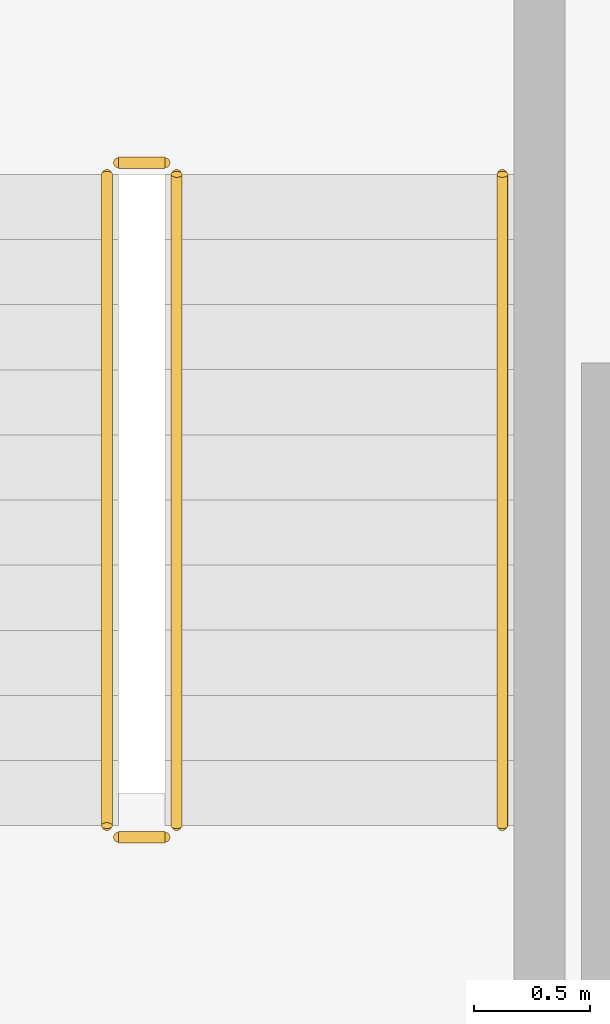
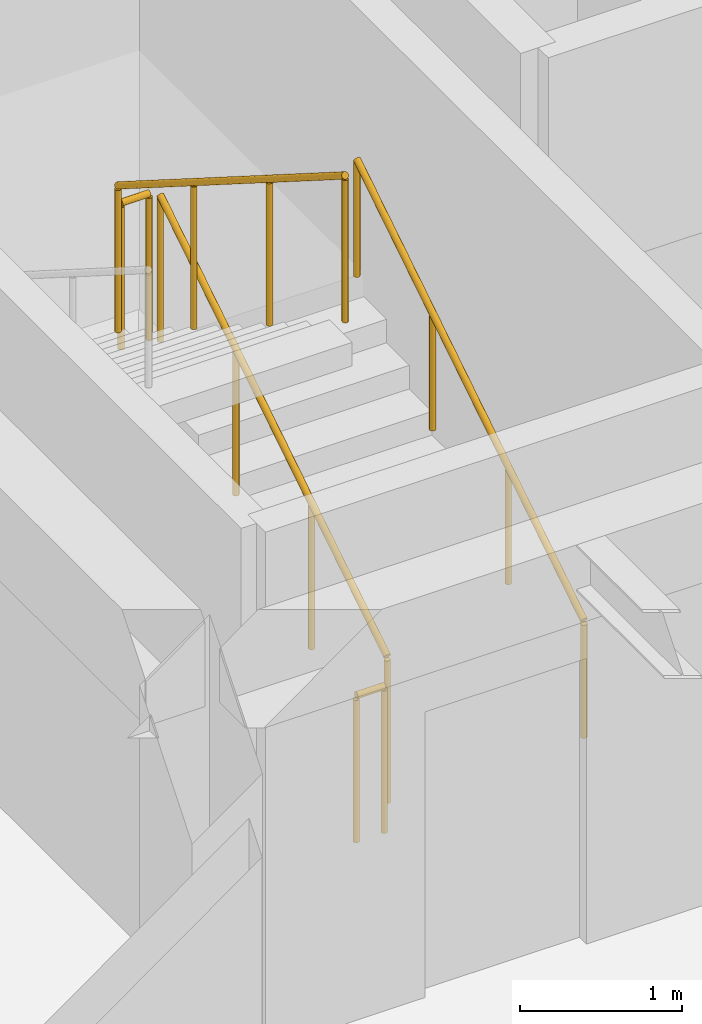
# One storey, part 15 of 15: 5 railings.
"""IFC4 building model written with IfcOpenShell, lengths in metres."""

from ifc_helpers import new_model, si_unit, direction, frame, origin, origin_2d, place, context, subcontext, project, spatial, circle, extrude, material, type_object, element, save


model = new_model("IFC4")

# Units and contexts
model_context = context("Model", 3, precision=1e-05, world=origin(), true_north=direction((0.0, 1.0)))
body_context = subcontext(model_context, "Body", "Model", "MODEL_VIEW")
ifc_project = project(units=[si_unit("LENGTHUNIT", "METRE"), si_unit("AREAUNIT", "SQUARE_METRE"), si_unit("VOLUMEUNIT", "CUBIC_METRE"), si_unit("PLANEANGLEUNIT", "RADIAN"), si_unit("MASSUNIT", "GRAM", prefix="KILO")], contexts=[model_context])

# Site, building, storey
site_placement = place(None, origin())
site = spatial("IfcSite", under=ifc_project, at=site_placement, CompositionType="ELEMENT")
building_placement = place(site_placement, origin())
building = spatial("IfcBuilding", under=site, at=building_placement, Name="Tlaxcora Railside Police Headquarters", CompositionType="ELEMENT")
storey_placement = place(building_placement, frame((0.0, 0.0, 25.800048828125)))
storey = spatial("IfcBuildingStorey", under=building, at=storey_placement, Name="L06", CompositionType="ELEMENT", Elevation=25.800048828125)

# Railings
ifc_material = material(Name="Steel ASTM A992 Grade 50", Category="steel")
railing_type_1 = type_object("IfcRailingType", Name="Stair Well Guard Balustrade GR-02", PredefinedType="BALUSTRADE", material=ifc_material)
railing_1_placement = place(storey_placement, frame((72.659912109375, 87.110107421875, 0.17724609375)))
element("IfcRailing", 1, at=railing_1_placement, inside=storey, type_object=railing_type_1, Name="L06 ST2 stair guard 1", PredefinedType="BALUSTRADE", context=body_context, shape_type="SweptSolid", body=[
    extrude(circle(Radius=0.02392578125, at=origin_2d()), frame((0.0, 0.0, 1.09619140625), z_axis=(0.0, 0.844887892834, 0.53494340686), x_axis=(-1.0, 0.0, 0.0)), (0.0, 0.0, 1.0), 3.313720703125),
    extrude(circle(Radius=0.02099609375, at=origin_2d()), origin(), (0.0, 0.0, 1.0), 1.072021484375),
    extrude(circle(Radius=0.02099609375, at=origin_2d()), frame((0.0, 0.933349609375, 0.5908203125)), (0.0, 0.0, 1.0), 1.072021484375),
    extrude(circle(Radius=0.02099609375, at=origin_2d()), frame((0.0, 1.866455078125, 1.181884765625)), (0.0, 0.0, 1.0), 1.072021484375),
    extrude(circle(Radius=0.02099609375, at=origin_2d()), frame((0.0, 2.7998046875, 1.772705078125)), (0.0, 0.0, 1.0), 1.072021484375),
])
railing_2_placement = place(storey_placement, frame((72.610107421875, 89.9599609375, 1.949951171875)))
element("IfcRailing", 2, at=railing_2_placement, inside=storey, type_object=railing_type_1, Name="L06 ST2 stair guard 2", PredefinedType="BALUSTRADE", context=body_context, shape_type="SweptSolid", body=[
    extrude(circle(Radius=0.02392578125, at=origin_2d()), frame((0.0, 0.0, 1.09619140625), z_axis=(-1.0, 0.0, 0.0), x_axis=(0.0, -1.0, 0.0)), (0.0, 0.0, 1.0), 0.2001953125),
    extrude(circle(Radius=0.02099609375, at=origin_2d()), origin(), (0.0, 0.0, 1.0), 1.072021484375),
    extrude(circle(Radius=0.02099609375, at=origin_2d()), frame((-0.2001953125, 0.0, 0.0)), (0.0, 0.0, 1.0), 1.072021484375),
])
railing_3_placement = place(storey_placement, frame((72.360107421875, 89.909912109375, 2.127197265625)))
element("IfcRailing", 3, at=railing_3_placement, inside=storey, type_object=railing_type_1, Name="L06 ST2 stair guard 3", PredefinedType="BALUSTRADE", context=body_context, shape_type="SweptSolid", body=[
    extrude(circle(Radius=0.02392578125, at=origin_2d()), frame((0.0, 0.0, 1.09619140625), z_axis=(0.0, -0.844887892834, 0.53494340686), x_axis=(1.0, 0.0, 0.0)), (0.0, 0.0, 1.0), 3.313720703125),
    extrude(circle(Radius=0.02099609375, at=origin_2d()), origin(), (0.0, 0.0, 1.0), 1.072021484375),
    extrude(circle(Radius=0.02099609375, at=origin_2d()), frame((0.0, -0.933349609375, 0.5908203125)), (0.0, 0.0, 1.0), 1.072021484375),
    extrude(circle(Radius=0.02099609375, at=origin_2d()), frame((0.0, -1.866455078125, 1.181884765625)), (0.0, 0.0, 1.0), 1.072021484375),
    extrude(circle(Radius=0.02099609375, at=origin_2d()), frame((0.0, -2.7998046875, 1.772705078125)), (0.0, 0.0, 1.0), 1.072021484375),
])
railing_4_placement = place(storey_placement, frame((72.610107421875, 87.06005859375, 0.0)))
element("IfcRailing", 4, at=railing_4_placement, inside=storey, type_object=railing_type_1, Name="L06 ST2 stair guard 4", PredefinedType="BALUSTRADE", context=body_context, shape_type="SweptSolid", body=[
    extrude(circle(Radius=0.02392578125, at=origin_2d()), frame((0.0, 0.0, 1.09619140625), z_axis=(-1.0, 0.0, 0.0), x_axis=(0.0, -1.0, 0.0)), (0.0, 0.0, 1.0), 0.2001953125),
    extrude(circle(Radius=0.02099609375, at=origin_2d()), origin(), (0.0, 0.0, 1.0), 1.072021484375),
    extrude(circle(Radius=0.02099609375, at=origin_2d()), frame((-0.2001953125, 0.0, 0.0)), (0.0, 0.0, 1.0), 1.072021484375),
])
railing_type_2 = type_object("IfcRailingType", Name="Stair and Ramp Handrail HR-01", PredefinedType="HANDRAIL", material=ifc_material)
railing_5_placement = place(storey_placement, frame((74.06005859375, 87.110107421875, 0.17724609375)))
element("IfcRailing", 5, at=railing_5_placement, inside=storey, type_object=railing_type_2, Name="L06 ST2 stair handrail 1", PredefinedType="HANDRAIL", context=body_context, shape_type="SweptSolid", body=[
    extrude(circle(Radius=0.02392578125, at=origin_2d()), frame((0.0, 0.0, 0.8759765625), z_axis=(0.0, 0.844887892834, 0.53494340686), x_axis=(-1.0, 0.0, 0.0)), (0.0, 0.0, 1.0), 3.313720703125),
    extrude(circle(Radius=0.02099609375, at=origin_2d()), origin(), (0.0, 0.0, 1.0), 0.851806640625),
    extrude(circle(Radius=0.02099609375, at=origin_2d()), frame((0.0, 0.933349609375, 0.5908203125)), (0.0, 0.0, 1.0), 0.851806640625),
    extrude(circle(Radius=0.02099609375, at=origin_2d()), frame((0.0, 1.866455078125, 1.181884765625)), (0.0, 0.0, 1.0), 0.851806640625),
    extrude(circle(Radius=0.02099609375, at=origin_2d()), frame((0.0, 2.7998046875, 1.772705078125)), (0.0, 0.0, 1.0), 0.851806640625),
])

save(model, "model.ifc")
